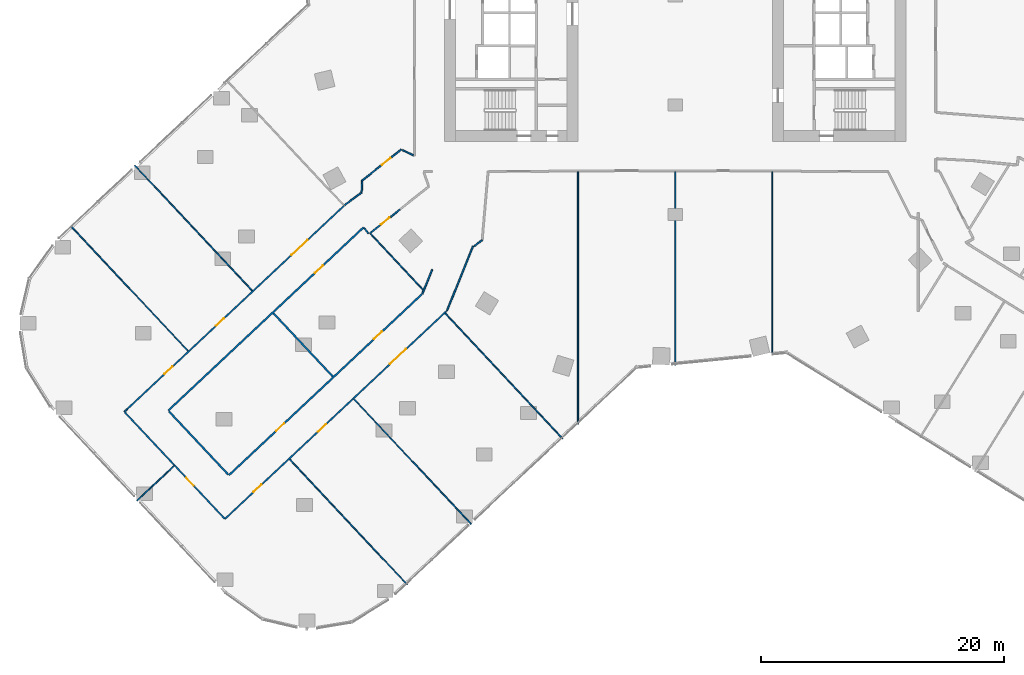
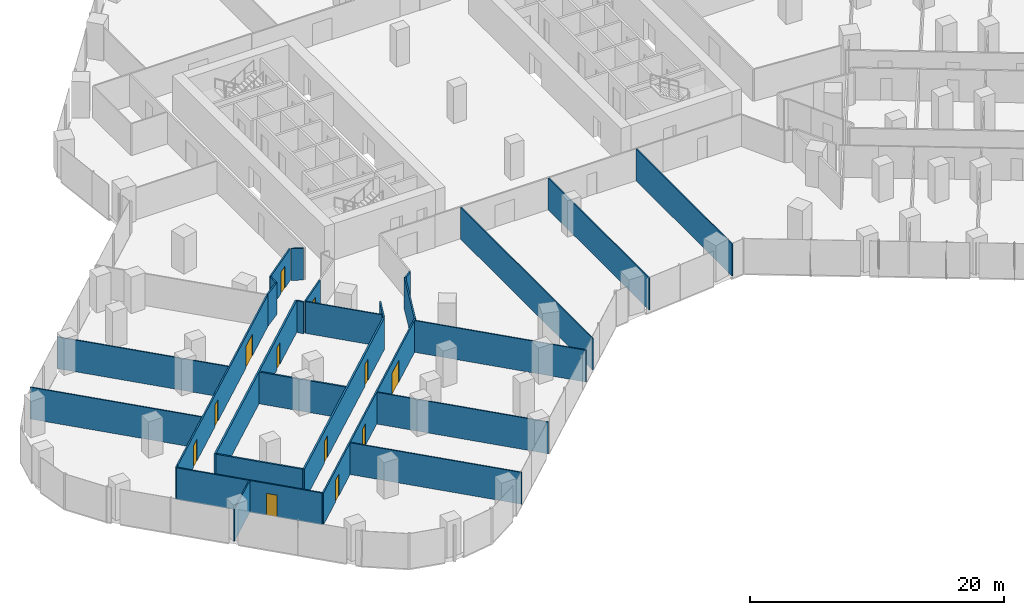
# One storey, part 27 of 34: 27 walls, 12 doors, 12 openings.
"""IFC4 building model written with IfcOpenShell, lengths in metres."""

from ifc_helpers import new_model, si_unit, direction, frame, frame_2d, origin, place, context, subcontext, project, spatial, rectangle, extrude, material, layer, layer_set, type_object, element, fill, save


model = new_model("IFC4")

# Units and contexts
model_context = context("Model", 3, precision=1e-05, world=origin(), true_north=direction((0.0, 1.0)))
body_context = subcontext(model_context, "Body", "Model", "MODEL_VIEW")
ifc_project = project(units=[si_unit("LENGTHUNIT", "METRE"), si_unit("AREAUNIT", "SQUARE_METRE"), si_unit("VOLUMEUNIT", "CUBIC_METRE"), si_unit("PLANEANGLEUNIT", "RADIAN"), si_unit("MASSUNIT", "GRAM", prefix="KILO")], contexts=[model_context])

# Site, building, storey
site_placement = place(None, origin())
site = spatial("IfcSite", under=ifc_project, at=site_placement, CompositionType="ELEMENT")
building_placement = place(site_placement, origin())
building = spatial("IfcBuilding", under=site, at=building_placement, Name="Orlundy Tower", CompositionType="ELEMENT")
storey_placement = place(building_placement, frame((0.0, 0.0, 40.800048828125)))
storey = spatial("IfcBuildingStorey", under=building, at=storey_placement, Name="L08", CompositionType="ELEMENT", Elevation=40.800048828125)

# Walls
ifc_material_1 = material(Name="Gypsum board partition")
ifc_layer_1 = layer(ifc_material_1, 0.10009765625)
ifc_layer_set_1 = layer_set([ifc_layer_1], Name="Floor partition 100")
wall_type_1 = type_object("IfcWallType", Name="Floor partition 100", PredefinedType="PARTITIONING", material=ifc_layer_set_1)
for number, where, z_axis, x_axis, name in (
    (1, (-49.77392578125, -18.923095703125, 0.0), (0.0, 0.0, 1.0), (0.684111730838, -0.729377227317, 0.0), "wall-int-L08-011"),
    (2, (-31.739013671875, -38.152099609375, 0.0), (0.0, 0.0, 1.0), (0.684192134114, -0.729301805576, 0.0), "wall-int-L08-012"),
):
    element("IfcWall", number, at=place(storey_placement, frame(where, z_axis=z_axis, x_axis=x_axis)), inside=storey, type_object=wall_type_1, Name=name, PredefinedType="PARTITIONING", context=body_context, shape_type="SweptSolid", body=[
        extrude(rectangle(XDim=14.136474609375, YDim=0.10009765625, at=frame_2d((7.068359375, 0.0))), origin(), (0.0, 0.0, 1.0), 3.06005859375),
    ])
for number, where, z_axis, x_axis, name in (
    (3, (-44.487060546875, -13.962890625, 0.0), (0.0, 0.0, 1.0), (0.684112301014, -0.729376692526, 0.0), "wall-int-L08-013"),
    (4, (-26.450927734375, -33.19189453125, 0.0), (0.0, 0.0, 1.0), (0.684103113435, -0.729385309825, 0.0), "wall-int-L08-015"),
):
    element("IfcWall", number, at=place(storey_placement, frame(where, z_axis=z_axis, x_axis=x_axis)), inside=storey, type_object=wall_type_1, Name=name, PredefinedType="PARTITIONING", context=body_context, shape_type="SweptSolid", body=[
        extrude(rectangle(XDim=14.13671875, YDim=0.10009765625, at=frame_2d((7.068359375, 0.0))), origin(), (0.0, 0.0, 1.0), 3.06005859375),
    ])
wall_1_placement = place(storey_placement, frame((-25.0791015625, -19.589111328125, 0.0), z_axis=(0.0, 0.0, 1.0), x_axis=(0.684071212636, -0.729415228825, 0.0)))
element("IfcWall", 5, at=wall_1_placement, inside=storey, type_object=wall_type_1, Name="wall-int-L08-017", PredefinedType="PARTITIONING", context=body_context, shape_type="SweptSolid", body=[
    extrude(rectangle(XDim=6.304931640625, YDim=0.10009765625, at=frame_2d((3.15234375, 0.0))), origin(), (0.0, 0.0, 1.0), 3.06005859375),
])
wall_2_placement = place(storey_placement, frame((-18.93408203125, -26.14111328125, 0.0), z_axis=(0.0, 0.0, 1.0), x_axis=(0.684157665042, -0.729334141094, 0.0)))
element("IfcWall", 6, at=wall_2_placement, inside=storey, type_object=wall_type_1, Name="wall-int-L08-018", PredefinedType="PARTITIONING", context=body_context, shape_type="SweptSolid", body=[
    extrude(rectangle(XDim=14.13720703125, YDim=0.10009765625, at=frame_2d((7.068603515625, 0.0))), origin(), (0.0, 0.0, 1.0), 3.06005859375),
])
wall_3_placement = place(storey_placement, frame((-44.30908203125, -41.56103515625, 0.0), z_axis=(0.0, 0.0, 1.0), x_axis=(0.729200696285, 0.684299893715, 0.0)))
element("IfcWall", 7, at=wall_3_placement, inside=storey, type_object=wall_type_1, Name="wall-int-L08-053", PredefinedType="PARTITIONING", context=body_context, shape_type="SweptSolid", body=[
    extrude(rectangle(XDim=4.186767578125, YDim=0.10009765625, at=frame_2d((2.09326171875, 0.0))), origin(), (0.0, 0.0, 1.0), 3.06005859375),
])
wall_4_placement = place(storey_placement, frame((8.0, -29.60498046875, 0.0), z_axis=(0.0, 0.0, 1.0), x_axis=(0.0, 1.0, 0.0)))
element("IfcWall", 8, at=wall_4_placement, inside=storey, type_object=wall_type_1, Name="wall-int-L08-078", PredefinedType="PARTITIONING", context=body_context, shape_type="SweptSolid", body=[
    extrude(rectangle(XDim=15.14208984375, YDim=0.10009765625, at=frame_2d((7.571044921875, 0.0))), origin(), (0.0, 0.0, 1.0), 3.06005859375),
])
wall_5_placement = place(storey_placement, frame((0.0, -30.39794921875, 0.0), z_axis=(0.0, 0.0, 1.0), x_axis=(0.0, 1.0, 0.0)))
element("IfcWall", 9, at=wall_5_placement, inside=storey, type_object=wall_type_1, Name="wall-int-L08-080", PredefinedType="PARTITIONING", context=body_context, shape_type="SweptSolid", body=[
    extrude(rectangle(XDim=15.93505859375, YDim=0.10009765625, at=frame_2d((7.967529296875, 0.0))), origin(), (0.0, 0.0, 1.0), 3.06005859375),
])
wall_6_placement = place(storey_placement, frame((-8.0, -35.26806640625, 0.0), z_axis=(0.0, 0.0, 1.0), x_axis=(0.0, 1.0, 0.0)))
element("IfcWall", 10, at=wall_6_placement, inside=storey, type_object=wall_type_1, Name="wall-int-L08-082", PredefinedType="PARTITIONING", context=body_context, shape_type="SweptSolid", body=[
    extrude(rectangle(XDim=20.80517578125, YDim=0.10009765625, at=frame_2d((10.402587890625, 0.0))), origin(), (0.0, 0.0, 1.0), 3.06005859375),
])
ifc_material_2 = material(Name="Gypsum board partition, double layer")
ifc_layer_2 = layer(ifc_material_2, 0.125)
ifc_layer_set_2 = layer_set([ifc_layer_2], Name="Floor partition 125")
wall_type_2 = type_object("IfcWallType", Name="Floor partition 125", PredefinedType="PARTITIONING", material=ifc_layer_set_2)
wall_7_placement = place(storey_placement, frame((-25.60400390625, -19.114013671875, 0.0), z_axis=(0.0, 0.0, 1.0), x_axis=(0.619381829891, -0.785089898548, 0.0)))
element("IfcWall", 11, at=wall_7_placement, inside=storey, type_object=wall_type_2, Name="wall-int-L08-007", PredefinedType="PARTITIONING", context=body_context, shape_type="SweptSolid", body=[
    extrude(rectangle(XDim=0.5732421875, YDim=0.125, at=frame_2d((0.28662109375, 0.0))), origin(), (0.0, 0.0, 1.0), 3.06005859375),
])
wall_8_placement = place(storey_placement, frame((-25.77392578125, -15.281005859375, 0.0), z_axis=(0.0, 0.0, 1.0), x_axis=(-0.038899975067, -0.999243109528, 0.0)))
element("IfcWall", 12, at=wall_8_placement, inside=storey, type_object=wall_type_2, Name="wall-int-L08-008", PredefinedType="PARTITIONING", context=body_context, shape_type="SweptSolid", body=[
    extrude(rectangle(XDim=0.90380859375, YDim=0.125, at=frame_2d((0.451904296875, 0.0))), origin(), (0.0, 0.0, 1.0), 3.06005859375),
])

# Wall, opening, door
wall_9_placement = place(storey_placement, frame((-37.10107421875, -43.031982421875, 0.0), z_axis=(0.0, 0.0, 1.0), x_axis=(-0.684230259848, 0.729266036168, 0.0)))
wall_9 = element("IfcWall", 13, at=wall_9_placement, inside=storey, type_object=wall_type_2, Name="wall-int-L08-009", PredefinedType="PARTITIONING", context=body_context, shape_type="SweptSolid", body=[
    extrude(rectangle(XDim=11.991455078125, YDim=0.125, at=frame_2d((5.99560546875, 0.0))), origin(), (0.0, 0.0, 1.0), 3.06005859375),
])
opening_1_placement = place(wall_9_placement, frame((3.704345703125, 0.0, 0.0)))
opening_1 = element("IfcOpeningElement", 14, at=opening_1_placement, cuts=wall_9, Name="Opening 09117", PredefinedType="OPENING", context=body_context, shape_type="SweptSolid", body=[
    extrude(rectangle(XDim=0.89990234375, YDim=2.10009765625, at=frame_2d((0.449951171875, 1.050048828125))), frame((0.0, 0.072509765625, 0.0), z_axis=(0.0, -1.0, 0.0), x_axis=(1.0, 0.0, 0.0)), (0.0, 0.0, 1.0), 0.14501953125),
])
ifc_material_3 = material(Name="Timber door leaf", Category="wood")
door_type_1 = type_object("IfcDoorType", Name="Floor door single 900 FD30S", OperationType="NOTDEFINED", PredefinedType="DOOR", material=ifc_material_3)
door_1_placement = place(opening_1_placement, origin())
door_1 = element("IfcDoor", 15, at=door_1_placement, inside=storey, type_object=door_type_1, Name="Door 09117", OperationType="SINGLE_SWING_LEFT", OverallHeight=2.10009765625, OverallWidth=0.89990234375, PredefinedType="DOOR", context=body_context, shape_type="SweptSolid", body=[
    extrude(rectangle(XDim=0.89990234375, YDim=2.10009765625, at=frame_2d((0.449951171875, 1.050048828125))), frame((0.0, 0.02490234375, 0.0), z_axis=(0.0, -1.0, 0.0), x_axis=(1.0, 0.0, 0.0)), (0.0, 0.0, 1.0), 0.050048828125),
])
fill(opening_1, door_1)

# Walls
wall_10_placement = place(storey_placement, frame((-22.43896484375, -12.699951171875, 0.0), z_axis=(0.0, 0.0, 1.0), x_axis=(0.900058849061, -0.435768365335, 0.0)))
element("IfcWall", 16, at=wall_10_placement, inside=storey, type_object=wall_type_2, Name="wall-int-L08-028", PredefinedType="PARTITIONING", context=body_context, shape_type="SweptSolid", body=[
    extrude(rectangle(XDim=0.984375, YDim=0.125, at=frame_2d((0.4921875, 0.0))), origin(), (0.0, 0.0, 1.0), 3.06005859375),
])
wall_11_placement = place(storey_placement, frame((-16.552978515625, -20.610107421875, 0.0), z_axis=(0.0, 0.0, 1.0), x_axis=(0.799610497066, 0.600518986362, 0.0)))
element("IfcWall", 17, at=wall_11_placement, inside=storey, type_object=wall_type_2, Name="wall-int-L08-032", PredefinedType="PARTITIONING", context=body_context, shape_type="SweptSolid", body=[
    extrude(rectangle(XDim=0.82763671875, YDim=0.125, at=frame_2d((0.413818359375, 0.0))), origin(), (0.0, 0.0, 1.0), 3.06005859375),
])
wall_12_placement = place(storey_placement, frame((-25.80908203125, -16.18408203125, 0.0), z_axis=(0.0, 0.0, 1.0), x_axis=(-0.801880216927, -0.597484826336, 0.0)))
element("IfcWall", 18, at=wall_12_placement, inside=storey, type_object=wall_type_2, Name="wall-int-L08-046", PredefinedType="PARTITIONING", context=body_context, shape_type="SweptSolid", body=[
    extrude(rectangle(XDim=1.757080078125, YDim=0.125, at=frame_2d((0.87841796875, 0.0))), origin(), (0.0, 0.0, 1.0), 3.06005859375),
])

# Wall, opening, door
wall_13_placement = place(storey_placement, frame((-25.81201171875, -15.23193359375, 0.0), z_axis=(0.0, 0.0, 1.0), x_axis=(0.784897756529, 0.619625299513, 0.0)))
wall_13 = element("IfcWall", 19, at=wall_13_placement, inside=storey, type_object=wall_type_2, Name="wall-int-L08-048", PredefinedType="PARTITIONING", context=body_context, shape_type="SweptSolid", body=[
    extrude(rectangle(XDim=4.168701171875, YDim=0.125, at=frame_2d((2.08447265625, 0.0))), origin(), (0.0, 0.0, 1.0), 3.06005859375),
])
opening_2_placement = place(wall_13_placement, frame((2.123779296875, 0.0, 0.0)))
opening_2 = element("IfcOpeningElement", 20, at=opening_2_placement, cuts=wall_13, Name="Opening 09121", PredefinedType="OPENING", context=body_context, shape_type="SweptSolid", body=[
    extrude(rectangle(XDim=0.89990234375, YDim=2.10009765625, at=frame_2d((0.449951171875, 1.050048828125))), frame((0.0, 0.072509765625, 0.0), z_axis=(0.0, -1.0, 0.0), x_axis=(1.0, 0.0, 0.0)), (0.0, 0.0, 1.0), 0.14501953125),
])
door_2_placement = place(opening_2_placement, origin())
door_2 = element("IfcDoor", 21, at=door_2_placement, inside=storey, type_object=door_type_1, Name="Door 09121", OperationType="SINGLE_SWING_RIGHT", OverallHeight=2.10009765625, OverallWidth=0.89990234375, PredefinedType="DOOR", context=body_context, shape_type="SweptSolid", body=[
    extrude(rectangle(XDim=0.89990234375, YDim=2.10009765625, at=frame_2d((0.449951171875, 1.050048828125))), frame((0.0, 0.02490234375, 0.0), z_axis=(0.0, -1.0, 0.0), x_axis=(1.0, 0.0, 0.0)), (0.0, 0.0, 1.0), 0.050048828125),
])
fill(opening_2, door_2)

wall_14_placement = place(storey_placement, frame((-22.653076171875, -17.5810546875, 0.0), z_axis=(0.0, 0.0, 1.0), x_axis=(-0.782918971935, -0.622123688171, 0.0)))
wall_14 = element("IfcWall", 22, at=wall_14_placement, inside=storey, type_object=wall_type_2, Name="wall-int-L08-049", PredefinedType="PARTITIONING", context=body_context, shape_type="SweptSolid", body=[
    extrude(rectangle(XDim=3.153564453125, YDim=0.125, at=frame_2d((1.57666015625, 0.0))), origin(), (0.0, 0.0, 1.0), 3.06005859375),
])
opening_3_placement = place(wall_14_placement, frame((1.10009765625, 0.0, 0.0)))
opening_3 = element("IfcOpeningElement", 23, at=opening_3_placement, cuts=wall_14, Name="Opening 09123", PredefinedType="OPENING", context=body_context, shape_type="SweptSolid", body=[
    extrude(rectangle(XDim=0.89990234375, YDim=2.10009765625, at=frame_2d((0.449951171875, 1.050048828125))), frame((0.0, 0.072509765625, 0.0), z_axis=(0.0, -1.0, 0.0), x_axis=(1.0, 0.0, 0.0)), (0.0, 0.0, 1.0), 0.14501953125),
])
door_3_placement = place(opening_3_placement, origin())
door_3 = element("IfcDoor", 24, at=door_3_placement, inside=storey, type_object=door_type_1, Name="Door 09123", OperationType="SINGLE_SWING_LEFT", OverallHeight=2.10009765625, OverallWidth=0.89990234375, PredefinedType="DOOR", context=body_context, shape_type="SweptSolid", body=[
    extrude(rectangle(XDim=0.89990234375, YDim=2.10009765625, at=frame_2d((0.449951171875, 1.050048828125))), frame((0.0, 0.02490234375, 0.0), z_axis=(0.0, -1.0, 0.0), x_axis=(1.0, 0.0, 0.0)), (0.0, 0.0, 1.0), 0.050048828125),
])
fill(opening_3, door_3)

# Wall
wall_15_placement = place(storey_placement, frame((-45.34912109375, -34.239990234375, 0.0), z_axis=(0.0, 0.0, 1.0), x_axis=(0.730297588588, 0.683129147455, 0.0)))
element("IfcWall", 25, at=wall_15_placement, inside=storey, type_object=wall_type_2, Name="wall-int-L08-050", PredefinedType="PARTITIONING", context=body_context, shape_type="SweptSolid", body=[
    extrude(rectangle(XDim=0.30029296875, YDim=0.125, at=frame_2d((0.150146484375, 0.0))), origin(), (0.0, 0.0, 1.0), 3.06005859375),
])

# Wall, openings, doors
wall_16_placement = place(storey_placement, frame((-18.8291015625, -25.95703125, 0.0), z_axis=(0.0, 0.0, 1.0), x_axis=(-0.729377966172, -0.684110943096, 0.0)))
wall_16 = element("IfcWall", 26, at=wall_16_placement, inside=storey, type_object=wall_type_2, Name="wall-int-L08-051", PredefinedType="PARTITIONING", context=body_context, shape_type="SweptSolid", body=[
    extrude(rectangle(XDim=25.009033203125, YDim=0.125, at=frame_2d((12.50439453125, 0.0))), origin(), (0.0, 0.0, 1.0), 3.06005859375),
])
opening_4_placement = place(wall_16_placement, frame((4.552490234375, 0.0, 0.0)))
opening_4 = element("IfcOpeningElement", 27, at=opening_4_placement, cuts=wall_16, Name="Opening 09110", PredefinedType="OPENING", context=body_context, shape_type="SweptSolid", body=[
    extrude(rectangle(XDim=1.800048828125, YDim=2.10009765625, at=frame_2d((0.89990234375, 1.050048828125))), frame((0.0, 0.072509765625, 0.0), z_axis=(0.0, -1.0, 0.0), x_axis=(1.0, 0.0, 0.0)), (0.0, 0.0, 1.0), 0.14501953125),
])
opening_5_placement = place(wall_16_placement, frame((13.60888671875, 0.0, 0.0)))
opening_5 = element("IfcOpeningElement", 28, at=opening_5_placement, cuts=wall_16, Name="Opening 09114", PredefinedType="OPENING", context=body_context, shape_type="SweptSolid", body=[
    extrude(rectangle(XDim=0.89990234375, YDim=2.10009765625, at=frame_2d((0.449951171875, 1.050048828125))), frame((0.0, 0.072509765625, 0.0), z_axis=(0.0, -1.0, 0.0), x_axis=(1.0, 0.0, 0.0)), (0.0, 0.0, 1.0), 0.14501953125),
])
opening_6_placement = place(wall_16_placement, frame((20.859130859375, 0.0, 0.0)))
opening_6 = element("IfcOpeningElement", 29, at=opening_6_placement, cuts=wall_16, Name="Opening 09118", PredefinedType="OPENING", context=body_context, shape_type="SweptSolid", body=[
    extrude(rectangle(XDim=0.89990234375, YDim=2.10009765625, at=frame_2d((0.449951171875, 1.050048828125))), frame((0.0, 0.072509765625, 0.0), z_axis=(0.0, -1.0, 0.0), x_axis=(1.0, 0.0, 0.0)), (0.0, 0.0, 1.0), 0.14501953125),
])
ifc_material_4 = material(Name="Timber door leaf", Category="wood")
door_type_2 = type_object("IfcDoorType", Name="Floor door double 1800 FD30S", OperationType="NOTDEFINED", PredefinedType="DOOR", material=ifc_material_4)
door_4_placement = place(opening_4_placement, origin())
door_4 = element("IfcDoor", 30, at=door_4_placement, inside=storey, type_object=door_type_2, Name="Door 09110", OperationType="DOUBLE_DOOR_SINGLE_SWING", OverallHeight=2.10009765625, OverallWidth=1.800048828125, PredefinedType="DOOR", context=body_context, shape_type="SweptSolid", body=[
    extrude(rectangle(XDim=1.800048828125, YDim=2.10009765625, at=frame_2d((0.89990234375, 1.050048828125))), frame((0.0, 0.02490234375, 0.0), z_axis=(0.0, -1.0, 0.0), x_axis=(1.0, 0.0, 0.0)), (0.0, 0.0, 1.0), 0.050048828125),
])
fill(opening_4, door_4)
door_5_placement = place(opening_5_placement, origin())
door_5 = element("IfcDoor", 31, at=door_5_placement, inside=storey, type_object=door_type_1, Name="Door 09114", OperationType="SINGLE_SWING_RIGHT", OverallHeight=2.10009765625, OverallWidth=0.89990234375, PredefinedType="DOOR", context=body_context, shape_type="SweptSolid", body=[
    extrude(rectangle(XDim=0.89990234375, YDim=2.10009765625, at=frame_2d((0.449951171875, 1.050048828125))), frame((0.0, 0.02490234375, 0.0), z_axis=(0.0, -1.0, 0.0), x_axis=(1.0, 0.0, 0.0)), (0.0, 0.0, 1.0), 0.050048828125),
])
fill(opening_5, door_5)
door_6_placement = place(opening_6_placement, origin())
door_6 = element("IfcDoor", 32, at=door_6_placement, inside=storey, type_object=door_type_1, Name="Door 09118", OperationType="SINGLE_SWING_RIGHT", OverallHeight=2.10009765625, OverallWidth=0.89990234375, PredefinedType="DOOR", context=body_context, shape_type="SweptSolid", body=[
    extrude(rectangle(XDim=0.89990234375, YDim=2.10009765625, at=frame_2d((0.449951171875, 1.050048828125))), frame((0.0, 0.02490234375, 0.0), z_axis=(0.0, -1.0, 0.0), x_axis=(1.0, 0.0, 0.0)), (0.0, 0.0, 1.0), 0.050048828125),
])
fill(opening_6, door_6)

wall_17_placement = place(storey_placement, frame((-45.1298828125, -34.034912109375, 0.0), z_axis=(0.0, 0.0, 1.0), x_axis=(0.729450212829, 0.684033907788, 0.0)))
wall_17 = element("IfcWall", 33, at=wall_17_placement, inside=storey, type_object=wall_type_2, Name="wall-int-L08-055", PredefinedType="PARTITIONING", context=body_context, shape_type="SweptSolid", body=[
    extrude(rectangle(XDim=24.50732421875, YDim=0.125, at=frame_2d((12.253662109375, 0.0))), origin(), (0.0, 0.0, 1.0), 3.06005859375),
])
opening_7_placement = place(wall_17_placement, frame((10.05078125, 0.0, 0.0)))
opening_7 = element("IfcOpeningElement", 34, at=opening_7_placement, cuts=wall_17, Name="Opening 09113", PredefinedType="OPENING", context=body_context, shape_type="SweptSolid", body=[
    extrude(rectangle(XDim=0.89990234375, YDim=2.10009765625, at=frame_2d((0.449951171875, 1.050048828125))), frame((0.0, 0.072509765625, 0.0), z_axis=(0.0, -1.0, 0.0), x_axis=(1.0, 0.0, 0.0)), (0.0, 0.0, 1.0), 0.14501953125),
])
opening_8_placement = place(wall_17_placement, frame((4.25048828125, 0.0, 0.0)))
opening_8 = element("IfcOpeningElement", 35, at=opening_8_placement, cuts=wall_17, Name="Opening 09116", PredefinedType="OPENING", context=body_context, shape_type="SweptSolid", body=[
    extrude(rectangle(XDim=0.89990234375, YDim=2.10009765625, at=frame_2d((0.449951171875, 1.050048828125))), frame((0.0, 0.072509765625, 0.0), z_axis=(0.0, -1.0, 0.0), x_axis=(1.0, 0.0, 0.0)), (0.0, 0.0, 1.0), 0.14501953125),
])
opening_9_placement = place(wall_17_placement, frame((18.55029296875, 0.0, 0.0)))
opening_9 = element("IfcOpeningElement", 36, at=opening_9_placement, cuts=wall_17, Name="Opening 09119", PredefinedType="OPENING", context=body_context, shape_type="SweptSolid", body=[
    extrude(rectangle(XDim=1.800048828125, YDim=2.10009765625, at=frame_2d((0.89990234375, 1.050048828125))), frame((0.0, 0.072509765625, 0.0), z_axis=(0.0, -1.0, 0.0), x_axis=(1.0, 0.0, 0.0)), (0.0, 0.0, 1.0), 0.14501953125),
])
door_7_placement = place(opening_9_placement, origin())
door_7 = element("IfcDoor", 37, at=door_7_placement, inside=storey, type_object=door_type_2, Name="Door 09119", OperationType="DOUBLE_DOOR_SINGLE_SWING", OverallHeight=2.10009765625, OverallWidth=1.800048828125, PredefinedType="DOOR", context=body_context, shape_type="SweptSolid", body=[
    extrude(rectangle(XDim=1.800048828125, YDim=2.10009765625, at=frame_2d((0.89990234375, 1.050048828125))), frame((0.0, 0.02490234375, 0.0), z_axis=(0.0, -1.0, 0.0), x_axis=(1.0, 0.0, 0.0)), (0.0, 0.0, 1.0), 0.050048828125),
])
fill(opening_9, door_7)
door_8_placement = place(opening_7_placement, origin())
door_8 = element("IfcDoor", 38, at=door_8_placement, inside=storey, type_object=door_type_1, Name="Door 09113", OperationType="SINGLE_SWING_LEFT", OverallHeight=2.10009765625, OverallWidth=0.89990234375, PredefinedType="DOOR", context=body_context, shape_type="SweptSolid", body=[
    extrude(rectangle(XDim=0.89990234375, YDim=2.10009765625, at=frame_2d((0.449951171875, 1.050048828125))), frame((0.0, 0.02490234375, 0.0), z_axis=(0.0, -1.0, 0.0), x_axis=(1.0, 0.0, 0.0)), (0.0, 0.0, 1.0), 0.050048828125),
])
fill(opening_7, door_8)
door_9_placement = place(opening_8_placement, origin())
door_9 = element("IfcDoor", 39, at=door_9_placement, inside=storey, type_object=door_type_1, Name="Door 09116", OperationType="SINGLE_SWING_LEFT", OverallHeight=2.10009765625, OverallWidth=0.89990234375, PredefinedType="DOOR", context=body_context, shape_type="SweptSolid", body=[
    extrude(rectangle(XDim=0.89990234375, YDim=2.10009765625, at=frame_2d((0.449951171875, 1.050048828125))), frame((0.0, 0.02490234375, 0.0), z_axis=(0.0, -1.0, 0.0), x_axis=(1.0, 0.0, 0.0)), (0.0, 0.0, 1.0), 0.050048828125),
])
fill(opening_8, door_9)

# Walls
wall_18_placement = place(storey_placement, frame((-18.783935546875, -25.9140625, 0.0), z_axis=(0.0, 0.0, 1.0), x_axis=(0.374782940322, 0.927112586283, 0.0)))
element("IfcWall", 40, at=wall_18_placement, inside=storey, type_object=wall_type_2, Name="wall-int-L08-069", PredefinedType="PARTITIONING", context=body_context, shape_type="SweptSolid", body=[
    extrude(rectangle(XDim=5.728515625, YDim=0.125, at=frame_2d((2.8642578125, 0.0))), origin(), (0.0, 0.0, 1.0), 3.06005859375),
])
wall_19_placement = place(storey_placement, frame((-20.0, -22.51611328125, 0.0), z_axis=(0.0, 0.0, 1.0), x_axis=(-0.374768568838, -0.92711839579, 0.0)))
element("IfcWall", 41, at=wall_19_placement, inside=storey, type_object=wall_type_2, Name="wall-int-L08-070", PredefinedType="PARTITIONING", context=body_context, shape_type="SweptSolid", body=[
    extrude(rectangle(XDim=2.166748046875, YDim=0.125, at=frame_2d((1.08349609375, 0.0))), origin(), (0.0, 0.0, 1.0), 3.06005859375),
])
ifc_material_5 = material(Name="Blockwork shaft wall", Category="masonry")
ifc_layer_3 = layer(ifc_material_5, 0.14990234375)
ifc_layer_set_3 = layer_set([ifc_layer_3], Name="Floor shaft wall 150")
wall_type_3 = type_object("IfcWallType", Name="Floor shaft wall 150", PredefinedType="PARTITIONING", material=ifc_layer_set_3)
wall_20_placement = place(storey_placement, frame((-41.68505859375, -34.198974609375, 0.0), z_axis=(0.0, 0.0, 1.0), x_axis=(0.68422395917, -0.729271947697, 0.0)))
element("IfcWall", 42, at=wall_20_placement, inside=storey, type_object=wall_type_3, Name="wall-int-L08-010", PredefinedType="PARTITIONING", context=body_context, shape_type="SweptSolid", body=[
    extrude(rectangle(XDim=7.1484375, YDim=0.14990234375, at=frame_2d((3.57421875, 0.0))), origin(), (0.0, 0.0, 1.0), 3.06005859375),
])
wall_21_placement = place(storey_placement, frame((-33.0791015625, -26.1259765625, 0.0), z_axis=(0.0, 0.0, 1.0), x_axis=(0.684155795313, -0.729335895003, 0.0)))
element("IfcWall", 43, at=wall_21_placement, inside=storey, type_object=wall_type_3, Name="wall-int-L08-014", PredefinedType="PARTITIONING", context=body_context, shape_type="SweptSolid", body=[
    extrude(rectangle(XDim=7.149169921875, YDim=0.14990234375, at=frame_2d((3.57470703125, 0.0))), origin(), (0.0, 0.0, 1.0), 3.06005859375),
])

# Wall, openings, doors
wall_22_placement = place(storey_placement, frame((-36.742919921875, -39.467041015625, 0.0), z_axis=(0.0, 0.0, 1.0), x_axis=(0.729355050799, 0.684135373939, 0.0)))
wall_22 = element("IfcWall", 44, at=wall_22_placement, inside=storey, type_object=wall_type_3, Name="wall-int-L08-052", PredefinedType="PARTITIONING", context=body_context, shape_type="SweptSolid", body=[
    extrude(rectangle(XDim=21.779541015625, YDim=0.14990234375, at=frame_2d((10.8896484375, 0.0))), origin(), (0.0, 0.0, 1.0), 3.06005859375),
])
opening_10_placement = place(wall_22_placement, frame((16.399169921875, 0.0, 0.0)))
opening_10 = element("IfcOpeningElement", 45, at=opening_10_placement, cuts=wall_22, Name="Opening 09112", PredefinedType="OPENING", context=body_context, shape_type="SweptSolid", body=[
    extrude(rectangle(XDim=0.89990234375, YDim=2.10009765625, at=frame_2d((0.449951171875, 1.050048828125))), frame((0.0, 0.0849609375, 0.0), z_axis=(0.0, -1.0, 0.0), x_axis=(1.0, 0.0, 0.0)), (0.0, 0.0, 1.0), 0.169921875),
])
opening_11_placement = place(wall_22_placement, frame((5.35009765625, 0.0, 0.0)))
opening_11 = element("IfcOpeningElement", 46, at=opening_11_placement, cuts=wall_22, Name="Opening 09115", PredefinedType="OPENING", context=body_context, shape_type="SweptSolid", body=[
    extrude(rectangle(XDim=0.89990234375, YDim=2.10009765625, at=frame_2d((0.449951171875, 1.050048828125))), frame((0.0, 0.0849609375, 0.0), z_axis=(0.0, -1.0, 0.0), x_axis=(1.0, 0.0, 0.0)), (0.0, 0.0, 1.0), 0.169921875),
])
ifc_material_6 = material(Name="Timber door leaf", Category="wood")
door_type_3 = type_object("IfcDoorType", Name="Floor door single 900 FD60", OperationType="NOTDEFINED", PredefinedType="DOOR", material=ifc_material_6)
door_10_placement = place(opening_10_placement, origin())
door_10 = element("IfcDoor", 47, at=door_10_placement, inside=storey, type_object=door_type_3, Name="Door 09112", OperationType="SINGLE_SWING_RIGHT", OverallHeight=2.10009765625, OverallWidth=0.89990234375, PredefinedType="DOOR", context=body_context, shape_type="SweptSolid", body=[
    extrude(rectangle(XDim=0.89990234375, YDim=2.10009765625, at=frame_2d((0.449951171875, 1.050048828125))), frame((0.0, 0.02490234375, 0.0), z_axis=(0.0, -1.0, 0.0), x_axis=(1.0, 0.0, 0.0)), (0.0, 0.0, 1.0), 0.050048828125),
])
fill(opening_10, door_10)
door_11_placement = place(opening_11_placement, origin())
door_11 = element("IfcDoor", 48, at=door_11_placement, inside=storey, type_object=door_type_3, Name="Door 09115", OperationType="SINGLE_SWING_LEFT", OverallHeight=2.10009765625, OverallWidth=0.89990234375, PredefinedType="DOOR", context=body_context, shape_type="SweptSolid", body=[
    extrude(rectangle(XDim=0.89990234375, YDim=2.10009765625, at=frame_2d((0.449951171875, 1.050048828125))), frame((0.0, 0.02490234375, 0.0), z_axis=(0.0, -1.0, 0.0), x_axis=(1.0, 0.0, 0.0)), (0.0, 0.0, 1.0), 0.050048828125),
])
fill(opening_11, door_11)

# Wall, opening, door
wall_23_placement = place(storey_placement, frame((-25.65087890625, -19.054931640625, 0.0), z_axis=(0.0, 0.0, 1.0), x_axis=(-0.729328318393, -0.684163872175, 0.0)))
wall_23 = element("IfcWall", 49, at=wall_23_placement, inside=storey, type_object=wall_type_3, Name="wall-int-L08-054", PredefinedType="PARTITIONING", context=body_context, shape_type="SweptSolid", body=[
    extrude(rectangle(XDim=22.054931640625, YDim=0.14990234375, at=frame_2d((11.02734375, 0.0))), origin(), (0.0, 0.0, 1.0), 3.06005859375),
])
opening_12_placement = place(wall_23_placement, frame((4.599853515625, 0.0, 0.0)))
opening_12 = element("IfcOpeningElement", 50, at=opening_12_placement, cuts=wall_23, Name="Opening 09111", PredefinedType="OPENING", context=body_context, shape_type="SweptSolid", body=[
    extrude(rectangle(XDim=0.89990234375, YDim=2.10009765625, at=frame_2d((0.449951171875, 1.050048828125))), frame((0.0, 0.0849609375, 0.0), z_axis=(0.0, -1.0, 0.0), x_axis=(1.0, 0.0, 0.0)), (0.0, 0.0, 1.0), 0.169921875),
])
door_12_placement = place(opening_12_placement, origin())
door_12 = element("IfcDoor", 51, at=door_12_placement, inside=storey, type_object=door_type_3, Name="Door 09111", OperationType="SINGLE_SWING_LEFT", OverallHeight=2.10009765625, OverallWidth=0.89990234375, PredefinedType="DOOR", context=body_context, shape_type="SweptSolid", body=[
    extrude(rectangle(XDim=0.89990234375, YDim=2.10009765625, at=frame_2d((0.449951171875, 1.050048828125))), frame((0.0, 0.02490234375, 0.0), z_axis=(0.0, -1.0, 0.0), x_axis=(1.0, 0.0, 0.0)), (0.0, 0.0, 1.0), 0.050048828125),
])
fill(opening_12, door_12)

save(model, "model.ifc")
